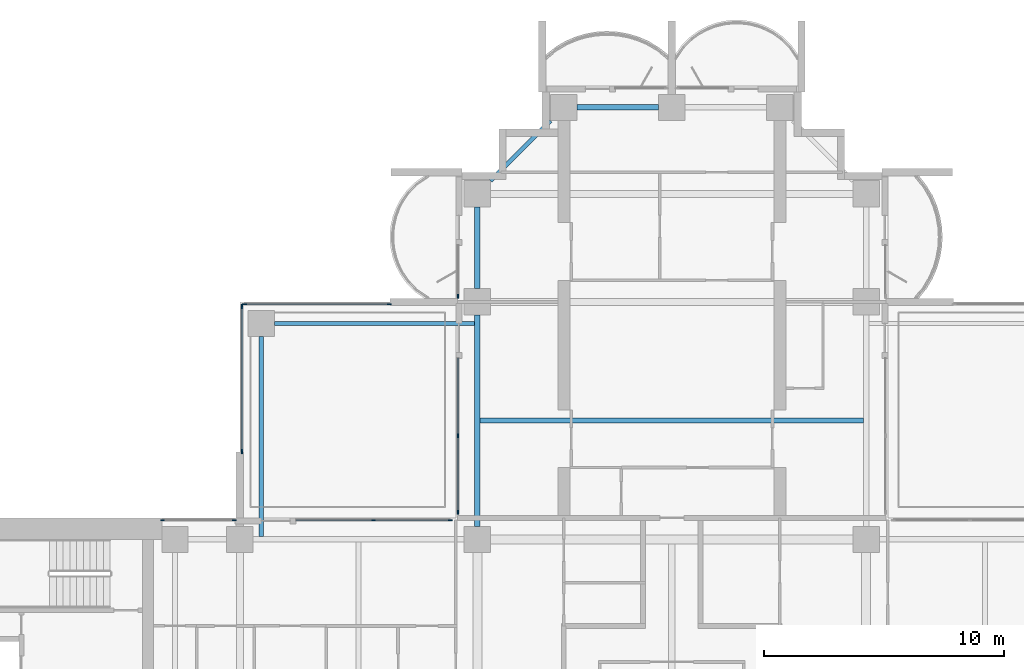
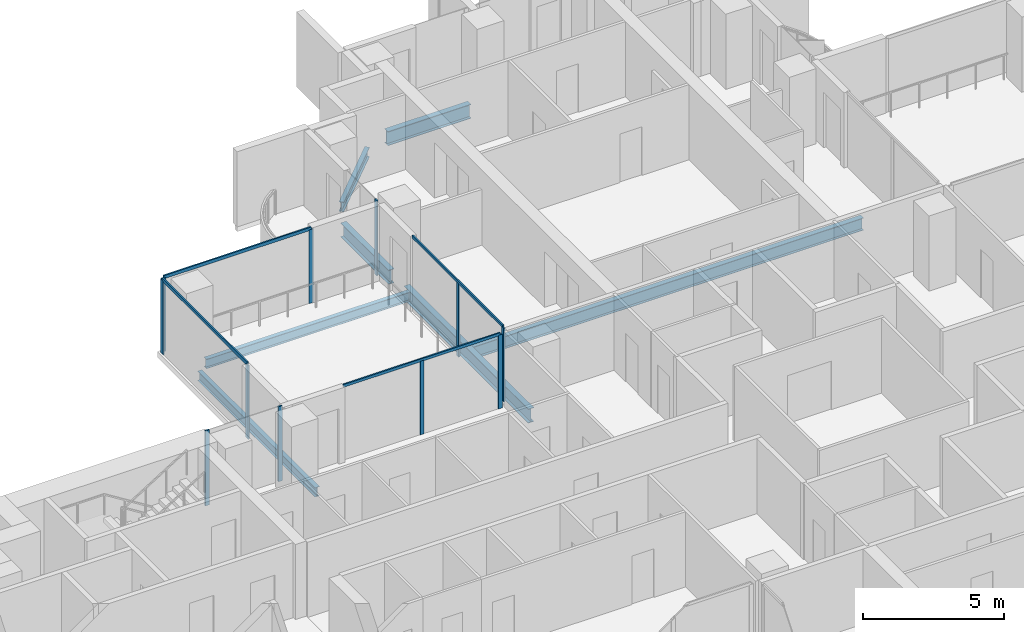
# One storey, part 5 of 18: 15 members, 7 beams, 6 elements without a shape of their own.
"""IFC4 building model written with IfcOpenShell, lengths in metres."""

import ifcopenshell
import ifcopenshell.guid

model = None  # the IFC model being written
_history = None  # IfcOwnerHistory: only IFC2X3 demands one
_inside = {}  # id of a spatial element -> (the spatial element, [elements in it])
_under = {}  # id of a project, library or spatial element -> (it, [spatial elements below it])
_declared = {}  # id of a project -> (the project, [libraries it declares])
_typed = {}  # id of a type object -> (the type object, [elements of that type])
_made_of = {}  # id of a material, layer set ... -> (it, [elements and type objects made of it])


def new_model(schema):
    """Start an empty IFC model of exactly this schema.

    Asked for "IFC4X3", IfcOpenShell would pick the latest addendum, in which some entities
    have other attributes; the version numbers below select the first issue.
    IFC2X3 requires an IfcOwnerHistory on every rooted entity: one is made here for all.
    """
    global model, _history
    if schema == "IFC4X3":
        model = ifcopenshell.file(schema_version=(4, 3, 0, 0))
    else:
        model = ifcopenshell.file(schema=schema)
    _inside.clear()
    _under.clear()
    _declared.clear()
    _typed.clear()
    _made_of.clear()
    _history = None
    if model.schema == "IFC2X3":
        org = make("IfcOrganization", Name="unknown")
        user = make(
            "IfcPersonAndOrganization",
            ThePerson=make("IfcPerson", FamilyName="unknown"),
            TheOrganization=org,
        )
        app = make(
            "IfcApplication",
            ApplicationDeveloper=org,
            Version="unknown",
            ApplicationFullName="unknown",
            ApplicationIdentifier="unknown",
        )
        _history = make(
            "IfcOwnerHistory",
            OwningUser=user,
            OwningApplication=app,
            ChangeAction="ADDED",
            CreationDate=0,
        )
    return model


def make(cls, **values):
    """One entity of the class cls with the attributes given. An attribute that is None is left unset."""
    return model.create_entity(
        cls, **{name: value for name, value in values.items() if value is not None}
    )


def rooted(cls, **values):
    """An entity with a GlobalId (a new one), such as an element, a storey or a relation."""
    return make(cls, GlobalId=ifcopenshell.guid.new(), OwnerHistory=_history, **values)


def si_unit(unit_type, name, prefix=None):
    """IfcSIUnit, for example si_unit("LENGTHUNIT", "METRE", prefix="MILLI")."""
    return make("IfcSIUnit", UnitType=unit_type, Prefix=prefix, Name=name)


def assignment(units):
    """IfcUnitAssignment: the units of a project."""
    return None if units is None else make("IfcUnitAssignment", Units=units)


def point(xyz):
    """IfcCartesianPoint."""
    return None if xyz is None else make("IfcCartesianPoint", Coordinates=xyz)


def direction(xyz):
    """IfcDirection."""
    return None if xyz is None else make("IfcDirection", DirectionRatios=xyz)


def frame(location, z_axis=None, x_axis=None):
    """IfcAxis2Placement3D, a coordinate frame: its origin and axes. An axis left out is left unset."""
    return make(
        "IfcAxis2Placement3D",
        Location=point(location),
        Axis=direction(z_axis),
        RefDirection=direction(x_axis),
    )


def frame_2d(location, x_axis=None):
    """IfcAxis2Placement2D, a coordinate frame in the plane: its origin and x axis."""
    return make(
        "IfcAxis2Placement2D", Location=point(location), RefDirection=direction(x_axis)
    )


def origin():
    """The frame at (0, 0, 0) with its axes left unset."""
    return frame((0.0, 0.0, 0.0))


def origin_2d():
    """The frame at (0, 0) in the plane with its x axis left unset."""
    return frame_2d((0.0, 0.0))


def place(relative_to, where):
    """IfcLocalPlacement: puts the frame where relative to a parent placement (None: the world)."""
    return make(
        "IfcLocalPlacement", PlacementRelTo=relative_to, RelativePlacement=where
    )


def context(
    kind, dimensions, precision=None, world=None, true_north=None, identifier=None
):
    """IfcGeometricRepresentationContext, for example the 3D "Model" context."""
    return make(
        "IfcGeometricRepresentationContext",
        ContextIdentifier=identifier,
        ContextType=kind,
        CoordinateSpaceDimension=dimensions,
        Precision=precision,
        WorldCoordinateSystem=world,
        TrueNorth=true_north,
    )


def subcontext(parent, identifier, kind, view, scale=None):
    """IfcGeometricRepresentationSubContext, for example "Body" below "Model"."""
    return make(
        "IfcGeometricRepresentationSubContext",
        ContextIdentifier=identifier,
        ContextType=kind,
        ParentContext=parent,
        TargetScale=scale,
        TargetView=view,
    )


def project(units=None, contexts=None):
    """IfcProject with its units and contexts."""
    return rooted(
        "IfcProject",
        Name="project",
        RepresentationContexts=contexts,
        UnitsInContext=assignment(units),
    )


def spatial(cls, under=None, at=None, **own):
    """A site, building, storey or space (cls), placed at a placement, below another one or the project."""
    s = rooted(cls, ObjectPlacement=at, **own)
    if under is not None:
        _under.setdefault(under.id(), (under, []))[1].append(s)
    return s


def profile(cls, at=None, kind="AREA", **sizes):
    """A parametric profile (cls). Its sizes go by their IFC names, for example OverallWidth=200.0."""
    return make(cls, ProfileType=kind, Position=at, **sizes)


def rectangle(**sizes):
    """IfcRectangleProfileDef."""
    return profile("IfcRectangleProfileDef", **sizes)


def i_section(**sizes):
    """IfcIShapeProfileDef."""
    return profile("IfcIShapeProfileDef", **sizes)


def extrude(swept, where, along, depth):
    """IfcExtrudedAreaSolid: the profile swept, set in the frame where, extruded along a direction by depth."""
    return make(
        "IfcExtrudedAreaSolid",
        SweptArea=swept,
        Position=where,
        ExtrudedDirection=direction(along),
        Depth=depth,
    )


def shape(context_of_items, identifier, shape_type, items):
    """IfcShapeRepresentation: the items that make up one representation, for example the "Body"."""
    return make(
        "IfcShapeRepresentation",
        ContextOfItems=context_of_items,
        RepresentationIdentifier=identifier,
        RepresentationType=shape_type,
        Items=items,
    )


def material(Name=None, Category=None):
    """IfcMaterial."""
    return make("IfcMaterial", Name=Name, Category=Category)


def material_profile(
    of_material, cross_section, Name=None, Category=None, Priority=None
):
    """IfcMaterialProfile: a cross section and its material."""
    return make(
        "IfcMaterialProfile",
        Name=Name,
        Material=of_material,
        Profile=cross_section,
        Priority=Priority,
        Category=Category,
    )


def profile_set(profiles, Name=None, composite=None):
    """IfcMaterialProfileSet."""
    return make(
        "IfcMaterialProfileSet",
        Name=Name,
        MaterialProfiles=profiles,
        CompositeProfile=composite,
    )


def made_of(thing, what):
    """Note that an element or type object is made of a material, layer set ...; save() writes the relation."""
    if what is not None:
        _made_of.setdefault(what.id(), (what, []))[1].append(thing)
    return thing


def type_object(cls, material=None, **own):
    """A type object (cls), such as IfcWallType, which elements share."""
    return made_of(rooted(cls, **own), material)


def element(
    cls,
    number,
    at=None,
    inside=None,
    cuts=None,
    type_object=None,
    material=None,
    context=None,
    identifier="Body",
    shape_type=None,
    held_by="IfcProductDefinitionShape",
    body=None,
    shapes=None,
    **own,
):
    """One element of the class cls, such as IfcWall. Its Tag is "e" and its number.

    at: its placement. inside: the storey or other place that contains it. cuts: it is an
    opening in that element (IfcRelVoidsElement). A single representation is given by context,
    identifier, shape_type and body (its items); several are given by shapes. held_by: the class
    of the entity that holds the representations. save() writes the other relations.
    """
    e = rooted(cls, Tag="e%d" % number, ObjectPlacement=at, **own)
    if body is not None:
        shapes = [shape(context, identifier, shape_type, body)]
    if shapes is not None:
        e.Representation = make(held_by, Representations=shapes)
    if inside is not None:
        _inside.setdefault(inside.id(), (inside, []))[1].append(e)
    if cuts is not None:
        rooted(
            "IfcRelVoidsElement", RelatingBuildingElement=cuts, RelatedOpeningElement=e
        )
    if type_object is not None:
        _typed.setdefault(type_object.id(), (type_object, []))[1].append(e)
    return made_of(e, material)


def aggregate(whole, parts):
    """IfcRelAggregates: a whole, such as a stair, and the parts it consists of."""
    return rooted("IfcRelAggregates", RelatingObject=whole, RelatedObjects=parts)


def save(model, path):
    """Write the relations noted so far, then the file.

    IfcRelAggregates (storeys below a building ...), IfcRelContainedInSpatialStructure (elements
    in a storey), IfcRelDefinesByType, IfcRelAssociatesMaterial and IfcRelDeclares: one each for
    every whole, place, type object, material and project.
    """
    for whole, parts in _under.values():
        aggregate(whole, parts)
    for where, things in _inside.values():
        rooted(
            "IfcRelContainedInSpatialStructure",
            RelatedElements=things,
            RelatingStructure=where,
        )
    for kind, things in _typed.values():
        rooted("IfcRelDefinesByType", RelatedObjects=things, RelatingType=kind)
    for what, things in _made_of.values():
        rooted("IfcRelAssociatesMaterial", RelatedObjects=things, RelatingMaterial=what)
    for by, libraries in _declared.values():
        rooted("IfcRelDeclares", RelatingContext=by, RelatedDefinitions=libraries)
    model.write(path)


model = new_model("IFC4")

# Units and contexts
model_context = context("Model", 3, precision=1e-05, world=origin(), true_north=direction((0.0, 1.0)))
body_context = subcontext(model_context, "Body", "Model", "MODEL_VIEW")
ifc_project = project(units=[si_unit("LENGTHUNIT", "METRE"), si_unit("AREAUNIT", "SQUARE_METRE"), si_unit("VOLUMEUNIT", "CUBIC_METRE"), si_unit("PLANEANGLEUNIT", "RADIAN"), si_unit("MASSUNIT", "GRAM", prefix="KILO")], contexts=[model_context])

# Site, building, storey
site_placement = place(None, origin())
site = spatial("IfcSite", under=ifc_project, at=site_placement, CompositionType="ELEMENT")
building_placement = place(site_placement, origin())
building = spatial("IfcBuilding", under=site, at=building_placement, Name="Perihelion Cross Residences", CompositionType="ELEMENT")
storey_placement = place(building_placement, frame((0.0, 0.0, 140.89990234375)))
storey = spatial("IfcBuildingStorey", under=building, at=storey_placement, Name="L34", CompositionType="ELEMENT", Elevation=140.89990234375)

# Curtain wall, member
ifc_material_1 = material(Name="Bronze anodised aluminium, tinted glazing", Category="aluminium")
curtain_wall_type_1 = type_object("IfcCurtainWallType", Name="CW1", PredefinedType="NOTDEFINED", material=ifc_material_1)
curtain_wall_1_placement = place(storey_placement, origin())
curtain_wall_1 = element("IfcCurtainWall", 1, at=curtain_wall_1_placement, inside=storey, type_object=curtain_wall_type_1, Name="Curtain wall CW1 L34 north side west bay 1", PredefinedType="NOTDEFINED")
ifc_material_2 = material(Name="Bronze anodised aluminium", Category="aluminium")
ifc_material_profile_1 = material_profile(ifc_material_2, rectangle(XDim=0.06005859375, YDim=0.159912109375, at=origin_2d()), Name="CW1 mullion")
ifc_profile_set_1 = profile_set([ifc_material_profile_1], Name="Bronze anodised aluminium")
member_type_1 = type_object("IfcMemberType", Name="CW1 mullion", PredefinedType="MULLION", material=ifc_profile_set_1)
member_1_placement = place(storey_placement, frame((-8.89990234375, 18.22998046875, 0.0), z_axis=(0.0, 0.0, 1.0), x_axis=(1.0, 0.0, 0.0)))
member_1 = element("IfcMember", 2, at=member_1_placement, type_object=member_type_1, Name="CW1 mullion 2", PredefinedType="MULLION", context=body_context, shape_type="SweptSolid", body=[
    extrude(rectangle(XDim=0.06005859375, YDim=0.159912109375, at=origin_2d()), origin(), (0.0, 0.0, 1.0), 3.25),
])
aggregate(curtain_wall_1, [member_1])

# Curtain wall, members
curtain_wall_2_placement = place(storey_placement, origin())
curtain_wall_2 = element("IfcCurtainWall", 3, at=curtain_wall_2_placement, inside=storey, type_object=curtain_wall_type_1, Name="Curtain wall CW1 L34 north side west bay 2", PredefinedType="NOTDEFINED")
member_2_placement = place(storey_placement, frame((-8.89990234375, 12.425048828125, 0.0), z_axis=(0.0, 0.0, 1.0), x_axis=(1.0, 0.0, 0.0)))
member_2 = element("IfcMember", 4, at=member_2_placement, type_object=member_type_1, Name="CW1 mullion 2", PredefinedType="MULLION", context=body_context, shape_type="SweptSolid", body=[
    extrude(rectangle(XDim=0.06005859375, YDim=0.159912109375, at=origin_2d()), origin(), (0.0, 0.0, 1.0), 3.190185546875),
])
member_3_placement = place(storey_placement, frame((-8.89990234375, 9.22998046875, 0.0), z_axis=(0.0, 0.0, 1.0), x_axis=(1.0, 0.0, 0.0)))
member_3 = element("IfcMember", 5, at=member_3_placement, type_object=member_type_1, Name="CW1 mullion 3", PredefinedType="MULLION", context=body_context, shape_type="SweptSolid", body=[
    extrude(rectangle(XDim=0.06005859375, YDim=0.159912109375, at=origin_2d()), origin(), (0.0, 0.0, 1.0), 3.190185546875),
])

curtain_wall_3_placement = place(storey_placement, origin())
curtain_wall_3 = element("IfcCurtainWall", 6, at=curtain_wall_3_placement, inside=storey, type_object=curtain_wall_type_1, Name="Curtain wall CW1 L34 west side north bay 1", PredefinedType="NOTDEFINED")
member_4_placement = place(storey_placement, frame((-9.22998046875, 8.89990234375, 0.0), z_axis=(0.0, 0.0, 1.0), x_axis=(0.0, -1.0, 0.0)))
member_4 = element("IfcMember", 7, at=member_4_placement, type_object=member_type_1, Name="CW1 mullion 1", PredefinedType="MULLION", context=body_context, shape_type="SweptSolid", body=[
    extrude(rectangle(XDim=0.06005859375, YDim=0.159912109375, at=origin_2d()), origin(), (0.0, 0.0, 1.0), 3.190185546875),
])
member_5_placement = place(storey_placement, frame((-12.425048828125, 8.89990234375, 0.0), z_axis=(0.0, 0.0, 1.0), x_axis=(0.0, -1.0, 0.0)))
member_5 = element("IfcMember", 8, at=member_5_placement, type_object=member_type_1, Name="CW1 mullion 2", PredefinedType="MULLION", context=body_context, shape_type="SweptSolid", body=[
    extrude(rectangle(XDim=0.06005859375, YDim=0.159912109375, at=origin_2d()), origin(), (0.0, 0.0, 1.0), 3.190185546875),
])

curtain_wall_4_placement = place(storey_placement, origin())
curtain_wall_4 = element("IfcCurtainWall", 9, at=curtain_wall_4_placement, inside=storey, type_object=curtain_wall_type_1, Name="Curtain wall CW1 L34 west side north bay 2", PredefinedType="NOTDEFINED")
member_6_placement = place(storey_placement, frame((-18.22998046875, 8.89990234375, 0.0), z_axis=(0.0, 0.0, 1.0), x_axis=(0.0, -1.0, 0.0)))
member_6 = element("IfcMember", 10, at=member_6_placement, type_object=member_type_1, Name="CW1 mullion 1", PredefinedType="MULLION", context=body_context, shape_type="SweptSolid", body=[
    extrude(rectangle(XDim=0.06005859375, YDim=0.159912109375, at=origin_2d()), origin(), (0.0, 0.0, 1.0), 3.25),
])
member_7_placement = place(storey_placement, frame((-21.219970703125, 8.89990234375, 0.0), z_axis=(0.0, 0.0, 1.0), x_axis=(0.0, -1.0, 0.0)))
member_7 = element("IfcMember", 11, at=member_7_placement, type_object=member_type_1, Name="CW1 mullion 2", PredefinedType="MULLION", context=body_context, shape_type="SweptSolid", body=[
    extrude(rectangle(XDim=0.06005859375, YDim=0.159912109375, at=origin_2d()), origin(), (0.0, 0.0, 1.0), 3.25),
])
aggregate(curtain_wall_4, [member_6, member_7])

# Member
ifc_material_3 = material(Name="Bronze anodised aluminium", Category="aluminium")
ifc_material_profile_2 = material_profile(ifc_material_3, rectangle(XDim=0.06005859375, YDim=0.1201171875, at=origin_2d()), Name="CW1 transom")
ifc_profile_set_2 = profile_set([ifc_material_profile_2], Name="Bronze anodised aluminium")
member_type_2 = type_object("IfcMemberType", Name="CW1 transom", PredefinedType="USERDEFINED", material=ifc_profile_set_2)
member_8_placement = place(storey_placement, frame((-8.89990234375, 15.64990234375, 3.22021484375), z_axis=(0.0, -1.0, 0.0), x_axis=(1.0, 0.0, 0.0)))
member_8 = element("IfcMember", 12, at=member_8_placement, type_object=member_type_2, Name="CW1 head transom", ObjectType="TRANSOM", PredefinedType="USERDEFINED", context=body_context, shape_type="SweptSolid", body=[
    extrude(rectangle(XDim=0.06005859375, YDim=0.1201171875, at=origin_2d()), origin(), (0.0, 0.0, 1.0), 6.419921875),
])

aggregate(curtain_wall_2, [member_2, member_3, member_8])

member_9_placement = place(storey_placement, frame((-9.22998046875, 8.89990234375, 3.22021484375), z_axis=(-1.0, 0.0, 0.0), x_axis=(0.0, -1.0, 0.0)))
member_9 = element("IfcMember", 13, at=member_9_placement, type_object=member_type_2, Name="CW1 head transom", ObjectType="TRANSOM", PredefinedType="USERDEFINED", context=body_context, shape_type="SweptSolid", body=[
    extrude(rectangle(XDim=0.06005859375, YDim=0.1201171875, at=origin_2d()), origin(), (0.0, 0.0, 1.0), 6.419921875),
])

aggregate(curtain_wall_3, [member_4, member_5, member_9])

# Curtain wall, members
ifc_material_4 = material(Name="Bronze anodised aluminium, tinted glazing", Category="aluminium")
curtain_wall_type_2 = type_object("IfcCurtainWallType", Name="CW4", PredefinedType="NOTDEFINED", material=ifc_material_4)
curtain_wall_5_placement = place(storey_placement, origin())
curtain_wall_5 = element("IfcCurtainWall", 14, at=curtain_wall_5_placement, inside=storey, type_object=curtain_wall_type_2, Name="Curtain wall CW4 L34 pocket north-west 1 1", PredefinedType="NOTDEFINED")
ifc_material_5 = material(Name="Bronze anodised aluminium", Category="aluminium")
ifc_material_profile_3 = material_profile(ifc_material_5, rectangle(XDim=0.06005859375, YDim=0.179931640625, at=origin_2d()), Name="CW4 mullion")
ifc_profile_set_3 = profile_set([ifc_material_profile_3], Name="Bronze anodised aluminium")
member_type_3 = type_object("IfcMemberType", Name="CW4 mullion", PredefinedType="MULLION", material=ifc_profile_set_3)
member_10_placement = place(storey_placement, frame((-17.89990234375, 11.77001953125, 0.0), z_axis=(0.0, 0.0, 1.0), x_axis=(-1.0, 0.0, 0.0)))
member_10 = element("IfcMember", 15, at=member_10_placement, type_object=member_type_3, Name="CW4 mullion 1", PredefinedType="MULLION", context=body_context, shape_type="SweptSolid", body=[
    extrude(rectangle(XDim=0.06005859375, YDim=0.179931640625, at=origin_2d()), origin(), (0.0, 0.0, 1.0), 3.190185546875),
])
member_11_placement = place(storey_placement, frame((-17.89990234375, 17.800048828125, 0.0), z_axis=(0.0, 0.0, 1.0), x_axis=(-1.0, 0.0, 0.0)))
member_11 = element("IfcMember", 16, at=member_11_placement, type_object=member_type_3, Name="CW4 mullion 2", PredefinedType="MULLION", context=body_context, shape_type="SweptSolid", body=[
    extrude(rectangle(XDim=0.06005859375, YDim=0.179931640625, at=origin_2d()), origin(), (0.0, 0.0, 1.0), 3.190185546875),
])

curtain_wall_6_placement = place(storey_placement, origin())
curtain_wall_6 = element("IfcCurtainWall", 17, at=curtain_wall_6_placement, inside=storey, type_object=curtain_wall_type_2, Name="Curtain wall CW4 L34 pocket north-west 1 2", PredefinedType="NOTDEFINED")
member_12_placement = place(storey_placement, frame((-17.800048828125, 17.89990234375, 0.0), z_axis=(0.0, 0.0, 1.0), x_axis=(0.0, 1.0, 0.0)))
member_12 = element("IfcMember", 18, at=member_12_placement, type_object=member_type_3, Name="CW4 mullion 1", PredefinedType="MULLION", context=body_context, shape_type="SweptSolid", body=[
    extrude(rectangle(XDim=0.06005859375, YDim=0.179931640625, at=origin_2d()), origin(), (0.0, 0.0, 1.0), 3.190185546875),
])
member_13_placement = place(storey_placement, frame((-11.77001953125, 17.89990234375, 0.0), z_axis=(0.0, 0.0, 1.0), x_axis=(0.0, 1.0, 0.0)))
member_13 = element("IfcMember", 19, at=member_13_placement, type_object=member_type_3, Name="CW4 mullion 2", PredefinedType="MULLION", context=body_context, shape_type="SweptSolid", body=[
    extrude(rectangle(XDim=0.06005859375, YDim=0.179931640625, at=origin_2d()), origin(), (0.0, 0.0, 1.0), 3.190185546875),
])

# Member
ifc_material_6 = material(Name="Bronze anodised aluminium", Category="aluminium")
ifc_material_profile_4 = material_profile(ifc_material_6, rectangle(XDim=0.06005859375, YDim=0.139892578125, at=origin_2d()), Name="CW4 transom")
ifc_profile_set_4 = profile_set([ifc_material_profile_4], Name="Bronze anodised aluminium")
member_type_4 = type_object("IfcMemberType", Name="CW4 transom", PredefinedType="USERDEFINED", material=ifc_profile_set_4)
member_14_placement = place(storey_placement, frame((-17.89990234375, 11.77001953125, 3.22021484375), z_axis=(0.0, 1.0, 0.0), x_axis=(-1.0, 0.0, 0.0)))
member_14 = element("IfcMember", 20, at=member_14_placement, type_object=member_type_4, Name="CW4 head transom", ObjectType="TRANSOM", PredefinedType="USERDEFINED", context=body_context, shape_type="SweptSolid", body=[
    extrude(rectangle(XDim=0.06005859375, YDim=0.139892578125, at=origin_2d()), origin(), (0.0, 0.0, 1.0), 6.030029296875),
])

aggregate(curtain_wall_5, [member_10, member_11, member_14])

member_15_placement = place(storey_placement, frame((-17.800048828125, 17.89990234375, 3.22021484375), z_axis=(1.0, 0.0, 0.0), x_axis=(0.0, 1.0, 0.0)))
member_15 = element("IfcMember", 21, at=member_15_placement, type_object=member_type_4, Name="CW4 head transom", ObjectType="TRANSOM", PredefinedType="USERDEFINED", context=body_context, shape_type="SweptSolid", body=[
    extrude(rectangle(XDim=0.06005859375, YDim=0.139892578125, at=origin_2d()), origin(), (0.0, 0.0, 1.0), 6.030029296875),
])

aggregate(curtain_wall_6, [member_12, member_13, member_15])

# Beams
ifc_material_7 = material(Name="Steel S355", Category="steel")
ifc_material_profile_5 = material_profile(ifc_material_7, i_section(OverallWidth=0.177978515625, OverallDepth=0.406005859375, WebThickness=0.0078125, FlangeThickness=0.0126953125, at=origin_2d()), Name="W410x60")
ifc_profile_set_5 = profile_set([ifc_material_profile_5], Name="Steel S355")
beam_type_1 = type_object("IfcBeamType", Name="Core edge beam W410x60", PredefinedType="BEAM", material=ifc_profile_set_5)
for number, where, z_axis, x_axis, name in (
    (22, (-17.10009765625, 8.214599609375, -0.452880859375), (0.0, 1.0, 0.0), (-1.0, 0.0, 0.0), "Core edge beam TB2 L34 corner no. 3"),
    (23, (-8.214599609375, 17.10009765625, -0.452880859375), (-1.0, 0.0, 0.0), (0.0, -1.0, 0.0), "Core edge beam TB2 L34 corner no. 4"),
):
    element("IfcBeam", number, at=place(storey_placement, frame(where, z_axis=z_axis, x_axis=x_axis)), inside=storey, type_object=beam_type_1, Name=name, PredefinedType="BEAM", context=body_context, shape_type="SweptSolid", body=[
        extrude(i_section(OverallWidth=0.177978515625, OverallDepth=0.406005859375, WebThickness=0.0078125, FlangeThickness=0.0126953125, at=origin_2d()), origin(), (0.0, 0.0, 1.0), 8.33544921875),
    ])
ifc_material_8 = material(Name="Steel S355", Category="steel")
ifc_material_profile_6 = material_profile(ifc_material_8, i_section(OverallWidth=0.22900390625, OverallDepth=0.612060546875, WebThickness=0.011962890625, FlangeThickness=0.01953125, at=origin_2d()), Name="W610x125")
ifc_profile_set_6 = profile_set([ifc_material_profile_6], Name="Steel S355")
beam_type_2 = type_object("IfcBeamType", Name="Edge beam W610x125", PredefinedType="SPANDREL", material=ifc_profile_set_6)
for number, where, z_axis, x_axis, name in (
    (24, (-0.550048828125, 26.10009765625, -0.555908203125), (-1.0, 0.0, 0.0), (0.0, -1.0, 0.0), "Edge beam SB3 L34 no. 10"),
    (25, (-8.10009765625, 21.949951171875, -0.555908203125), (0.0, -1.0, 0.0), (1.0, 0.0, 0.0), "Edge beam SB3 L34 no. 7"),
):
    element("IfcBeam", number, at=place(storey_placement, frame(where, z_axis=z_axis, x_axis=x_axis)), inside=storey, type_object=beam_type_2, Name=name, PredefinedType="SPANDREL", context=body_context, shape_type="SweptSolid", body=[
        extrude(i_section(OverallWidth=0.22900390625, OverallDepth=0.612060546875, WebThickness=0.011962890625, FlangeThickness=0.01953125, at=origin_2d()), origin(), (0.0, 0.0, 1.0), 3.39990234375),
    ])
beam_1_placement = place(storey_placement, frame((-8.10009765625, 17.449951171875, -0.555908203125), z_axis=(0.0, -1.0, 0.0), x_axis=(1.0, 0.0, 0.0)))
element("IfcBeam", 26, at=beam_1_placement, inside=storey, type_object=beam_type_2, Name="Edge beam SB3 L34 no. 6", PredefinedType="SPANDREL", context=body_context, shape_type="SweptSolid", body=[
    extrude(i_section(OverallWidth=0.22900390625, OverallDepth=0.612060546875, WebThickness=0.011962890625, FlangeThickness=0.01953125, at=origin_2d()), origin(), (0.0, 0.0, 1.0), 8.800048828125),
])
ifc_material_9 = material(Name="Steel S355", Category="steel")
ifc_material_profile_7 = material_profile(ifc_material_9, i_section(OverallWidth=0.208984375, OverallDepth=0.532958984375, WebThickness=0.01025390625, FlangeThickness=0.015625, at=origin_2d()), Name="W530x92")
ifc_profile_set_7 = profile_set([ifc_material_profile_7], Name="Steel S355")
beam_type_3 = type_object("IfcBeamType", Name="Floor joist W530x92", PredefinedType="JOIST", material=ifc_profile_set_7)
beam_2_placement = place(storey_placement, frame((-7.985595703125, 13.050048828125, -0.516357421875), z_axis=(1.0, 0.0, 0.0), x_axis=(0.0, 1.0, 0.0)))
element("IfcBeam", 27, at=beam_2_placement, inside=storey, type_object=beam_type_3, Name="Joist J4 L34 no. 4", PredefinedType="JOIST", context=body_context, shape_type="SweptSolid", body=[
    extrude(i_section(OverallWidth=0.208984375, OverallDepth=0.532958984375, WebThickness=0.01025390625, FlangeThickness=0.015625, at=origin_2d()), origin(), (0.0, 0.0, 1.0), 15.97119140625),
])
ifc_material_10 = material(Name="Steel S355", Category="steel")
ifc_material_profile_8 = material_profile(ifc_material_10, i_section(OverallWidth=0.180908203125, OverallDepth=0.4169921875, WebThickness=0.010986328125, FlangeThickness=0.018310546875, at=origin_2d()), Name="W410x85")
ifc_profile_set_8 = profile_set([ifc_material_profile_8], Name="Steel S355")
beam_type_4 = type_object("IfcBeamType", Name="Serration edge beam W410x85", PredefinedType="BEAM", material=ifc_profile_set_8)
beam_3_placement = place(storey_placement, frame((-5.050048828125, 25.550048828125, -0.45849609375), z_axis=(-0.707106781187, -0.707106781187, 0.0), x_axis=(0.707106781187, -0.707106781187, 0.0)))
element("IfcBeam", 28, at=beam_3_placement, inside=storey, type_object=beam_type_4, Name="Serration edge beam EB3 L34 no. 1", PredefinedType="BEAM", context=body_context, shape_type="SweptSolid", body=[
    extrude(i_section(OverallWidth=0.180908203125, OverallDepth=0.4169921875, WebThickness=0.010986328125, FlangeThickness=0.018310546875, at=origin_2d()), origin(), (0.0, 0.0, 1.0), 3.53564453125),
])

save(model, "model.ifc")
